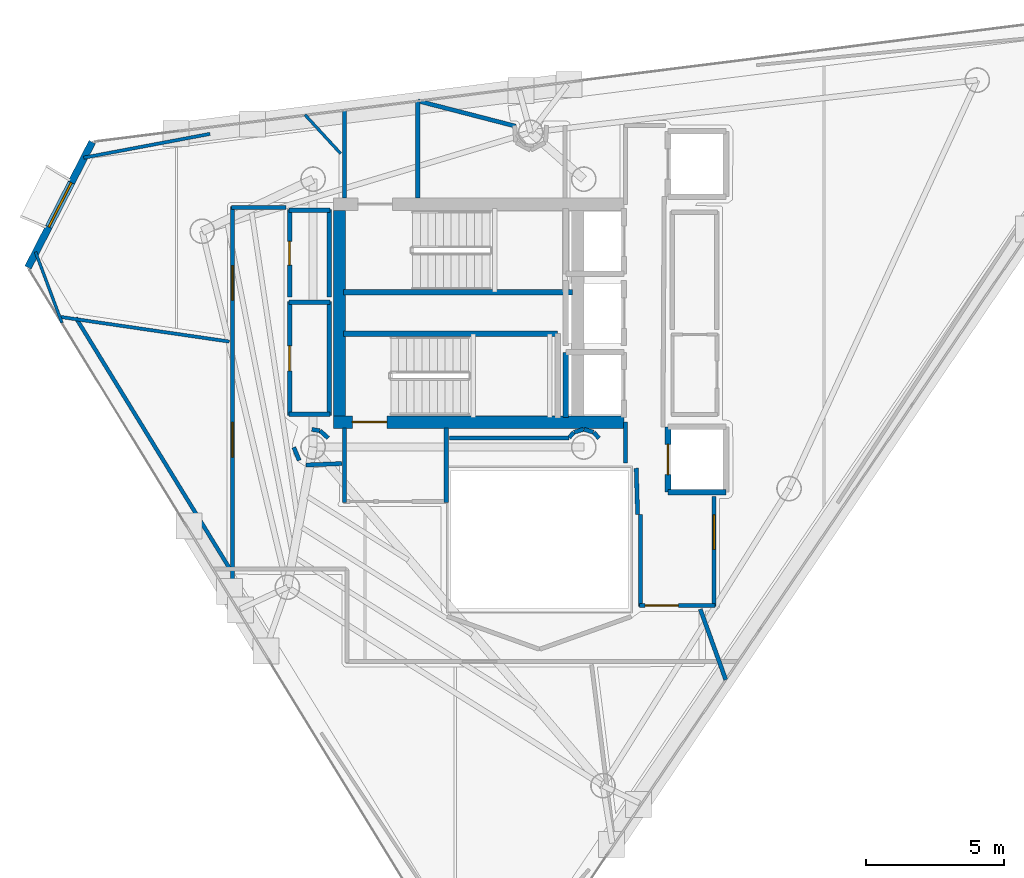
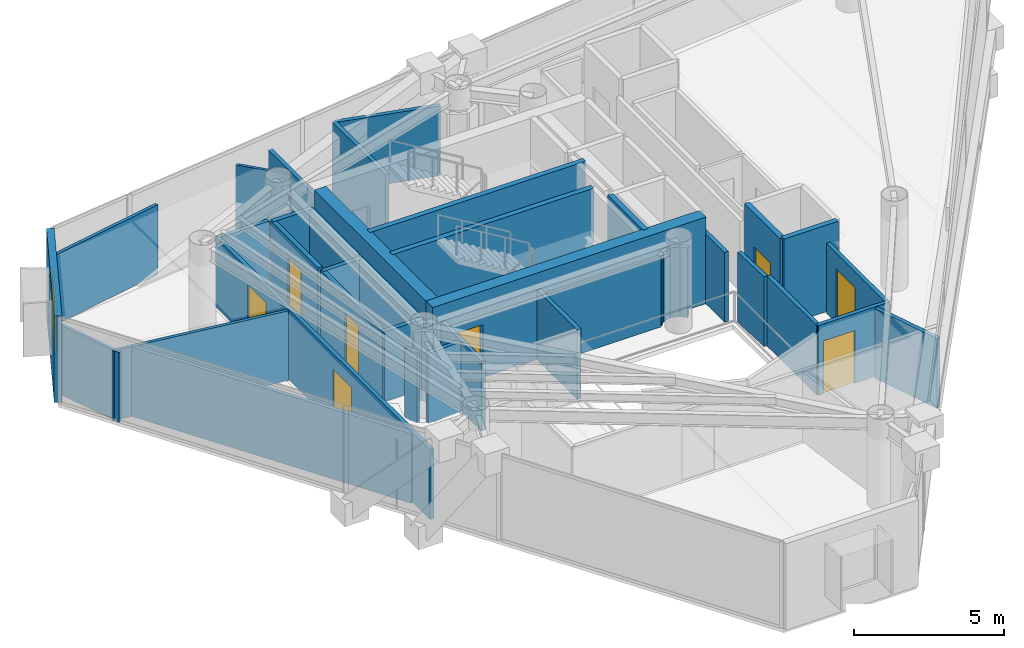
# One storey, part 19 of 23: 42 walls, 8 doors, 1 window, 9 openings.
"""IFC4 building model written with IfcOpenShell, lengths in metres."""

from ifc_helpers import new_model, si_unit, direction, frame, frame_2d, origin, place, context, subcontext, project, spatial, rectangle, extrude, material, layer, layer_set, type_object, element, fill, save


model = new_model("IFC4")

# Units and contexts
model_context = context("Model", 3, precision=1e-05, world=origin(), true_north=direction((0.0, 1.0)))
body_context = subcontext(model_context, "Body", "Model", "MODEL_VIEW")
ifc_project = project(units=[si_unit("LENGTHUNIT", "METRE"), si_unit("AREAUNIT", "SQUARE_METRE"), si_unit("VOLUMEUNIT", "CUBIC_METRE"), si_unit("PLANEANGLEUNIT", "RADIAN"), si_unit("MASSUNIT", "GRAM", prefix="KILO")], contexts=[model_context])

# Site, building, storey
site_placement = place(None, origin())
site = spatial("IfcSite", under=ifc_project, at=site_placement, CompositionType="ELEMENT")
building_placement = place(site_placement, origin())
building = spatial("IfcBuilding", under=site, at=building_placement, Name="Qianvela Tower", CompositionType="ELEMENT")
storey_placement = place(building_placement, frame((0.0, 0.0, 284.300048828125)))
storey = spatial("IfcBuildingStorey", under=building, at=storey_placement, Name="L73", CompositionType="ELEMENT", Elevation=284.300048828125)

# Wall, opening, window
ifc_material_1 = material(Name="Terracotta Cladding on Concrete C40", Category="masonry")
ifc_layer_1 = layer(ifc_material_1, 0.260009765625)
ifc_layer_set_1 = layer_set([ifc_layer_1], Name="Terracotta Cladding on Concrete C40")
wall_type_1 = type_object("IfcWallType", Name="TERRACOTTA-WALL-260", PredefinedType="SOLIDWALL", material=ifc_layer_set_1)
wall_1_placement = place(storey_placement, frame((20.602783203125, 34.89404296875, 0.0), z_axis=(0.0, 0.0, 1.0), x_axis=(-0.455422024199, -0.890275676335, 0.0)))
wall_1 = element("IfcWall", 1, at=wall_1_placement, inside=storey, type_object=wall_type_1, Name="L73 Terracotta Chamfer Facet Wall 3", PredefinedType="SOLIDWALL", context=body_context, shape_type="SweptSolid", body=[
    extrude(rectangle(XDim=5.10400390625, YDim=0.260009765625, at=frame_2d((2.552001953125, 0.0))), origin(), (0.0, 0.0, 1.0), 3.52001953125),
])
opening_1_placement = place(wall_1_placement, frame((1.652099609375, 0.0, 0.85009765625)))
opening_1 = element("IfcOpeningElement", 2, at=opening_1_placement, cuts=wall_1, Name="Opening W-01", PredefinedType="OPENING", context=body_context, shape_type="SweptSolid", body=[
    extrude(rectangle(XDim=1.800048828125, YDim=2.10009765625, at=frame_2d((0.89990234375, 1.050048828125))), frame((0.0, 0.139892578125, 0.0), z_axis=(0.0, -1.0, 0.0), x_axis=(1.0, 0.0, 0.0)), (0.0, 0.0, 1.0), 0.280029296875),
])
ifc_material_2 = material(Name="Thermally Broken Aluminium and Low-E Glass", Category="aluminium")
window_type = type_object("IfcWindowType", Name="WIN-TC-1800x2100", PartitioningType="DOUBLE_PANEL_VERTICAL", PredefinedType="WINDOW", material=ifc_material_2)
window_placement = place(opening_1_placement, origin())
window = element("IfcWindow", 3, at=window_placement, inside=storey, type_object=window_type, Name="L73 Chamfer Facet Window 3.1", OverallHeight=2.10009765625, OverallWidth=1.800048828125, PartitioningType="SINGLE_PANEL", PredefinedType="WINDOW", context=body_context, shape_type="SweptSolid", body=[
    extrude(rectangle(XDim=1.800048828125, YDim=2.10009765625, at=frame_2d((0.89990234375, 1.050048828125))), frame((0.0, 0.030029296875, 0.0), z_axis=(0.0, -1.0, 0.0), x_axis=(1.0, 0.0, 0.0)), (0.0, 0.0, 1.0), 0.06005859375),
])
fill(opening_1, window)

# Wall, opening, door
ifc_material_3 = material(Name="Concrete C50", Category="concrete")
ifc_layer_2 = layer(ifc_material_3, 0.449951171875)
ifc_layer_set_2 = layer_set([ifc_layer_2], Name="Concrete C50")
wall_type_2 = type_object("IfcWallType", Name="WT-CORE-450", PredefinedType="SHEAR", material=ifc_layer_set_2)
wall_2_placement = place(storey_placement, frame((29.330078125, 24.7548828125, 0.0), z_axis=(0.0, 0.0, 1.0), x_axis=(1.0, 0.0, 0.0)))
wall_2 = element("IfcWall", 4, at=wall_2_placement, inside=storey, type_object=wall_type_2, Name="L73 South Core Shear Wall", PredefinedType="SHEAR", context=body_context, shape_type="SweptSolid", body=[
    extrude(rectangle(XDim=10.52001953125, YDim=0.449951171875, at=frame_2d((5.260009765625, 0.0))), origin(), (0.0, 0.0, 1.0), 3.52001953125),
])
opening_2_placement = place(wall_2_placement, frame((0.695068359375, 0.0, 0.0)))
opening_2 = element("IfcOpeningElement", 5, at=opening_2_placement, cuts=wall_2, Name="Opening D-ST1", PredefinedType="OPENING", context=body_context, shape_type="SweptSolid", body=[
    extrude(rectangle(XDim=1.25, YDim=2.14990234375, at=frame_2d((0.625, 1.074951171875))), frame((0.0, 0.23486328125, 0.0), z_axis=(0.0, -1.0, 0.0), x_axis=(1.0, 0.0, 0.0)), (0.0, 0.0, 1.0), 0.469970703125),
])
ifc_material_4 = material(Name="Galvanised Fire Steel Q355B", Category="steel")
door_type_1 = type_object("IfcDoorType", Name="DT-STAIR-FD90", OperationType="NOTDEFINED", PredefinedType="DOOR", material=ifc_material_4)
door_1_placement = place(opening_2_placement, origin())
door_1 = element("IfcDoor", 6, at=door_1_placement, inside=storey, type_object=door_type_1, Name="L73 Stair ST-2 Exit Door", OperationType="SINGLE_SWING_LEFT", OverallHeight=2.14990234375, OverallWidth=1.25, PredefinedType="DOOR", context=body_context, shape_type="SweptSolid", body=[
    extrude(rectangle(XDim=1.25, YDim=2.14990234375, at=frame_2d((0.625, 1.074951171875))), frame((0.0, 0.02490234375, 0.0), z_axis=(0.0, -1.0, 0.0), x_axis=(1.0, 0.0, 0.0)), (0.0, 0.0, 1.0), 0.050048828125),
])
fill(opening_2, door_1)

# Walls
wall_3_placement = place(storey_placement, frame((29.554931640625, 24.97998046875, 0.0), z_axis=(0.0, 0.0, 1.0), x_axis=(0.0, 1.0, 0.0)))
element("IfcWall", 7, at=wall_3_placement, inside=storey, type_object=wall_type_2, Name="L73 West Core Shear Wall", PredefinedType="SHEAR", context=body_context, shape_type="SweptSolid", body=[
    extrude(rectangle(XDim=7.43994140625, YDim=0.449951171875, at=frame_2d((3.719970703125, 0.0))), origin(), (0.0, 0.0, 1.0), 3.52001953125),
])
ifc_material_5 = material(Name="Fire-Rated Acoustic Gypsum Board")
ifc_layer_3 = layer(ifc_material_5, 0.14990234375)
ifc_layer_set_3 = layer_set([ifc_layer_3], Name="Fire-Rated Acoustic Gypsum Board")
wall_type_3 = type_object("IfcWallType", Name="WT-CORR-150", PredefinedType="PARTITIONING", material=ifc_layer_set_3)
wall_4_placement = place(storey_placement, frame((29.73095703125, 32.85791015625, 0.0), z_axis=(0.0, 0.0, 1.0), x_axis=(0.0, 1.0, 0.0)))
element("IfcWall", 8, at=wall_4_placement, inside=storey, type_object=wall_type_3, Name="L73 Partition 2", PredefinedType="PARTITIONING", context=body_context, shape_type="SweptSolid", body=[
    extrude(rectangle(XDim=3.203857421875, YDim=0.14990234375, at=frame_2d((1.60205078125, 0.0))), origin(), (0.0, 0.0, 1.0), 2.83984375),
])
wall_5_placement = place(storey_placement, frame((32.388916015625, 36.39599609375, 0.0), z_axis=(0.0, 0.0, 1.0), x_axis=(0.0, -1.0, 0.0)))
element("IfcWall", 9, at=wall_5_placement, inside=storey, type_object=wall_type_3, Name="L73 Partition 4", PredefinedType="PARTITIONING", context=body_context, shape_type="SweptSolid", body=[
    extrude(rectangle(XDim=3.5380859375, YDim=0.14990234375, at=frame_2d((1.76904296875, 0.0))), origin(), (0.0, 0.0, 1.0), 2.83984375),
])
for number, where, z_axis, x_axis, name in (
    (10, (29.73095703125, 21.85009765625, 0.0), (0.0, 0.0, 1.0), (0.0, 1.0, 0.0), "L73 Partition 6"),
    (11, (33.4189453125, 24.5419921875, 0.0), (0.0, 0.0, 1.0), (0.0, -1.0, 0.0), "L73 Partition 8"),
):
    element("IfcWall", number, at=place(storey_placement, frame(where, z_axis=z_axis, x_axis=x_axis)), inside=storey, type_object=wall_type_3, Name=name, PredefinedType="PARTITIONING", context=body_context, shape_type="SweptSolid", body=[
        extrude(rectangle(XDim=2.69189453125, YDim=0.14990234375, at=frame_2d((1.345947265625, 0.0))), origin(), (0.0, 0.0, 1.0), 2.83984375),
    ])
wall_6_placement = place(storey_placement, frame((40.35107421875, 21.40087890625, 0.0), z_axis=(0.0, 0.0, 1.0), x_axis=(-0.031058045979, 0.999517582527, 0.0)))
element("IfcWall", 12, at=wall_6_placement, inside=storey, type_object=wall_type_3, Name="L73 Partition 9", PredefinedType="PARTITIONING", context=body_context, shape_type="SweptSolid", body=[
    extrude(rectangle(XDim=1.68212890625, YDim=0.14990234375, at=frame_2d((0.841064453125, 0.0))), origin(), (0.0, 0.0, 1.0), 2.83984375),
])
wall_7_placement = place(storey_placement, frame((39.910888671875, 23.280029296875, 0.0), z_axis=(0.0, 0.0, 1.0), x_axis=(0.0, 1.0, 0.0)))
element("IfcWall", 13, at=wall_7_placement, inside=storey, type_object=wall_type_3, Name="L73 Partition 10", PredefinedType="PARTITIONING", context=body_context, shape_type="SweptSolid", body=[
    extrude(rectangle(XDim=1.47998046875, YDim=0.14990234375, at=frame_2d((0.739990234375, 0.0))), origin(), (0.0, 0.0, 1.0), 2.83984375),
])

# Wall, opening, door
wall_8_placement = place(storey_placement, frame((43.118896484375, 22.050048828125, 0.0), z_axis=(0.0, 0.0, 1.0), x_axis=(0.0, -1.0, 0.0)))
wall_8 = element("IfcWall", 14, at=wall_8_placement, inside=storey, type_object=wall_type_3, Name="L73 Partition 16", PredefinedType="PARTITIONING", context=body_context, shape_type="SweptSolid", body=[
    extrude(rectangle(XDim=3.969970703125, YDim=0.14990234375, at=frame_2d((1.98486328125, 0.0))), origin(), (0.0, 0.0, 1.0), 2.83984375),
])
opening_3_placement = place(wall_8_placement, frame((0.659912109375, 0.0, 0.0)))
opening_3 = element("IfcOpeningElement", 15, at=opening_3_placement, cuts=wall_8, Name="Opening D-LG1", PredefinedType="OPENING", context=body_context, shape_type="SweptSolid", body=[
    extrude(rectangle(XDim=1.25, YDim=2.199951171875, at=frame_2d((0.625, 1.10009765625))), frame((0.0, 0.0849609375, 0.0), z_axis=(0.0, -1.0, 0.0), x_axis=(1.0, 0.0, 0.0)), (0.0, 0.0, 1.0), 0.169921875),
])
ifc_material_6 = material(Name="Anodised Aluminium Acoustic Glass Door", Category="aluminium")
door_type_2 = type_object("IfcDoorType", Name="DT-LOUNGE-1250", OperationType="NOTDEFINED", PredefinedType="DOOR", material=ifc_material_6)
door_2_placement = place(opening_3_placement, origin())
door_2 = element("IfcDoor", 16, at=door_2_placement, inside=storey, type_object=door_type_2, Name="L73 Door Social Sitting Lounge L73-03 to L73 Lift Lobby", OperationType="SINGLE_SWING_RIGHT", OverallHeight=2.199951171875, OverallWidth=1.25, PredefinedType="DOOR", context=body_context, shape_type="SweptSolid", body=[
    extrude(rectangle(XDim=1.25, YDim=2.199951171875, at=frame_2d((0.625, 1.10009765625))), frame((0.0, 0.02490234375, 0.0), z_axis=(0.0, -1.0, 0.0), x_axis=(1.0, 0.0, 0.0)), (0.0, 0.0, 1.0), 0.050048828125),
])
fill(opening_3, door_2)

wall_9_placement = place(storey_placement, frame((43.14990234375, 18.111083984375, 0.0), z_axis=(0.0, 0.0, 1.0), x_axis=(-1.0, 0.0, 0.0)))
wall_9 = element("IfcWall", 17, at=wall_9_placement, inside=storey, type_object=wall_type_3, Name="L73 Partition 17", PredefinedType="PARTITIONING", context=body_context, shape_type="SweptSolid", body=[
    extrude(rectangle(XDim=2.72998046875, YDim=0.14990234375, at=frame_2d((1.364990234375, 0.0))), origin(), (0.0, 0.0, 1.0), 2.83984375),
])
opening_4_placement = place(wall_9_placement, frame((1.324951171875, 0.0, 0.0)))
opening_4 = element("IfcOpeningElement", 18, at=opening_4_placement, cuts=wall_9, Name="Opening D-LB1", PredefinedType="OPENING", context=body_context, shape_type="SweptSolid", body=[
    extrude(rectangle(XDim=1.199951171875, YDim=2.14990234375, at=frame_2d((0.60009765625, 1.074951171875))), frame((0.0, 0.0849609375, 0.0), z_axis=(0.0, -1.0, 0.0), x_axis=(1.0, 0.0, 0.0)), (0.0, 0.0, 1.0), 0.169921875),
])
ifc_material_7 = material(Name="Glazed Fire-Rated Steel Frame", Category="steel")
door_type_3 = type_object("IfcDoorType", Name="DT-LOBBY-FD90", OperationType="NOTDEFINED", PredefinedType="DOOR", material=ifc_material_7)
door_3_placement = place(opening_4_placement, origin())
door_3 = element("IfcDoor", 19, at=door_3_placement, inside=storey, type_object=door_type_3, Name="L73 Door L73 Lift Lobby to L73 Floor Corridor", OperationType="SINGLE_SWING_RIGHT", OverallHeight=2.14990234375, OverallWidth=1.199951171875, PredefinedType="DOOR", context=body_context, shape_type="SweptSolid", body=[
    extrude(rectangle(XDim=1.199951171875, YDim=2.14990234375, at=frame_2d((0.60009765625, 1.074951171875))), frame((0.0, 0.02490234375, 0.0), z_axis=(0.0, -1.0, 0.0), x_axis=(1.0, 0.0, 0.0)), (0.0, 0.0, 1.0), 0.050048828125),
])
fill(opening_4, door_3)

# Walls
wall_10_placement = place(storey_placement, frame((40.450927734375, 18.080078125, 0.0), z_axis=(0.0, 0.0, 1.0), x_axis=(0.0, 1.0, 0.0)))
element("IfcWall", 20, at=wall_10_placement, inside=storey, type_object=wall_type_3, Name="L73 Partition 18 seg 1", PredefinedType="PARTITIONING", context=body_context, shape_type="SweptSolid", body=[
    extrude(rectangle(XDim=3.31982421875, YDim=0.14990234375, at=frame_2d((1.659912109375, 0.0))), origin(), (0.0, 0.0, 1.0), 2.83984375),
])
wall_11_placement = place(storey_placement, frame((38.950927734375, 24.1708984375, 0.0), z_axis=(0.0, 0.0, 1.0), x_axis=(-0.674186852077, 0.738560822469, 0.0)))
element("IfcWall", 21, at=wall_11_placement, inside=storey, type_object=wall_type_3, Name="L73 Partition 37", PredefinedType="PARTITIONING", context=body_context, shape_type="SweptSolid", body=[
    extrude(rectangle(XDim=0.28076171875, YDim=0.14990234375, at=frame_2d((0.140380859375, 0.0))), origin(), (0.0, 0.0, 1.0), 2.83984375),
])
wall_12_placement = place(storey_placement, frame((38.747802734375, 24.386962890625, 0.0), z_axis=(0.0, 0.0, 1.0), x_axis=(-0.956948991291, 0.290256142171, 0.0)))
element("IfcWall", 22, at=wall_12_placement, inside=storey, type_object=wall_type_3, Name="L73 Partition 38", PredefinedType="PARTITIONING", context=body_context, shape_type="SweptSolid", body=[
    extrude(rectangle(XDim=0.35400390625, YDim=0.14990234375, at=frame_2d((0.177001953125, 0.0))), origin(), (0.0, 0.0, 1.0), 2.83984375),
])
wall_13_placement = place(storey_placement, frame((38.39111328125, 24.48974609375, 0.0), z_axis=(0.0, 0.0, 1.0), x_axis=(-0.957007018611, -0.290064762301, 0.0)))
element("IfcWall", 23, at=wall_13_placement, inside=storey, type_object=wall_type_3, Name="L73 Partition 39", PredefinedType="PARTITIONING", context=body_context, shape_type="SweptSolid", body=[
    extrude(rectangle(XDim=0.354248046875, YDim=0.14990234375, at=frame_2d((0.17724609375, 0.0))), origin(), (0.0, 0.0, 1.0), 2.83984375),
])
wall_14_placement = place(storey_placement, frame((38.0380859375, 24.378173828125, 0.0), z_axis=(0.0, 0.0, 1.0), x_axis=(-0.673658387955, -0.739042878551, 0.0)))
element("IfcWall", 24, at=wall_14_placement, inside=storey, type_object=wall_type_3, Name="L73 Partition 40", PredefinedType="PARTITIONING", context=body_context, shape_type="SweptSolid", body=[
    extrude(rectangle(XDim=0.246337890625, YDim=0.14990234375, at=frame_2d((0.123046875, 0.0))), origin(), (0.0, 0.0, 1.0), 2.83984375),
])
wall_15_placement = place(storey_placement, frame((37.8720703125, 24.180908203125, 0.0), z_axis=(0.0, 0.0, 1.0), x_axis=(-1.0, 0.0, 0.0)))
element("IfcWall", 25, at=wall_15_placement, inside=storey, type_object=wall_type_3, Name="L73 Partition 41", PredefinedType="PARTITIONING", context=body_context, shape_type="SweptSolid", body=[
    extrude(rectangle(XDim=4.342041015625, YDim=0.14990234375, at=frame_2d((2.1708984375, 0.0))), origin(), (0.0, 0.0, 1.0), 2.83984375),
])
wall_16_placement = place(storey_placement, frame((29.148681640625, 24.173095703125, 0.0), z_axis=(0.0, 0.0, 1.0), x_axis=(-0.745225165416, 0.666812906917, 0.0)))
element("IfcWall", 26, at=wall_16_placement, inside=storey, type_object=wall_type_3, Name="L73 Partition 51", PredefinedType="PARTITIONING", context=body_context, shape_type="SweptSolid", body=[
    extrude(rectangle(XDim=0.3955078125, YDim=0.14990234375, at=frame_2d((0.19775390625, 0.0))), origin(), (0.0, 0.0, 1.0), 2.83984375),
])
wall_17_placement = place(storey_placement, frame((28.837890625, 24.444091796875, 0.0), z_axis=(0.0, 0.0, 1.0), x_axis=(-0.989449148305, 0.144880581578, 0.0)))
element("IfcWall", 27, at=wall_17_placement, inside=storey, type_object=wall_type_3, Name="L73 Partition 52", PredefinedType="PARTITIONING", context=body_context, shape_type="SweptSolid", body=[
    extrude(rectangle(XDim=0.286376953125, YDim=0.14990234375, at=frame_2d((0.14306640625, 0.0))), origin(), (0.0, 0.0, 1.0), 2.83984375),
])
wall_18_placement = place(storey_placement, frame((32.40576171875, 36.378173828125, 0.0), z_axis=(0.0, 0.0, 1.0), x_axis=(0.968212286396, -0.250129903194, 0.0)))
element("IfcWall", 28, at=wall_18_placement, inside=storey, type_object=wall_type_3, Name="L73 Partition 55", PredefinedType="PARTITIONING", context=body_context, shape_type="SweptSolid", body=[
    extrude(rectangle(XDim=3.634765625, YDim=0.14990234375, at=frame_2d((1.8173828125, 0.0))), origin(), (0.0, 0.0, 1.0), 2.83984375),
])
wall_19_placement = place(storey_placement, frame((27.9013671875, 23.838134765625, 0.0), z_axis=(0.0, 0.0, 1.0), x_axis=(0.382856448334, -0.923807847969, 0.0)))
element("IfcWall", 29, at=wall_19_placement, inside=storey, type_object=wall_type_3, Name="L73 Partition 62", PredefinedType="PARTITIONING", context=body_context, shape_type="SweptSolid", body=[
    extrude(rectangle(XDim=0.5126953125, YDim=0.14990234375, at=frame_2d((0.25634765625, 0.0))), origin(), (0.0, 0.0, 1.0), 2.83984375),
])
wall_20_placement = place(storey_placement, frame((28.3447265625, 23.199951171875, 0.0), z_axis=(0.0, 0.0, 1.0), x_axis=(0.999216536924, 0.039576664043, 0.0)))
element("IfcWall", 30, at=wall_20_placement, inside=storey, type_object=wall_type_3, Name="L73 Partition 63", PredefinedType="PARTITIONING", context=body_context, shape_type="SweptSolid", body=[
    extrude(rectangle(XDim=1.29541015625, YDim=0.14990234375, at=frame_2d((0.647705078125, 0.0))), origin(), (0.0, 0.0, 1.0), 2.83984375),
])
wall_21_placement = place(storey_placement, frame((42.618896484375, 17.97998046875, 0.0), z_axis=(0.0, 0.0, 1.0), x_axis=(0.339302003936, -0.940677495279, 0.0)))
element("IfcWall", 31, at=wall_21_placement, inside=storey, type_object=wall_type_3, Name="L73 Partition 69", PredefinedType="PARTITIONING", context=body_context, shape_type="SweptSolid", body=[
    extrude(rectangle(XDim=2.715576171875, YDim=0.14990234375, at=frame_2d((1.35791015625, 0.0))), origin(), (0.0, 0.0, 1.0), 2.83984375),
])

# Wall, openings, doors
wall_22_placement = place(storey_placement, frame((25.680908203125, 18.259521484375, 0.0), z_axis=(0.0, 0.0, 1.0), x_axis=(0.0, 1.0, 0.0)))
wall_22 = element("IfcWall", 32, at=wall_22_placement, inside=storey, type_object=wall_type_3, Name="L73 Partition 73", PredefinedType="PARTITIONING", context=body_context, shape_type="SweptSolid", body=[
    extrude(rectangle(XDim=14.29052734375, YDim=0.14990234375, at=frame_2d((7.145263671875, 0.0))), origin(), (0.0, 0.0, 1.0), 2.83984375),
])
opening_5_placement = place(wall_22_placement, frame((5.22900390625, 0.0, 0.0)))
opening_5 = element("IfcOpeningElement", 33, at=opening_5_placement, cuts=wall_22, Name="Opening D-LG1", PredefinedType="OPENING", context=body_context, shape_type="SweptSolid", body=[
    extrude(rectangle(XDim=1.25, YDim=2.199951171875, at=frame_2d((0.625, 1.10009765625))), frame((0.0, 0.0849609375, 0.0), z_axis=(0.0, -1.0, 0.0), x_axis=(1.0, 0.0, 0.0)), (0.0, 0.0, 1.0), 0.169921875),
])
opening_6_placement = place(wall_22_placement, frame((10.911865234375, 0.0, 0.0)))
opening_6 = element("IfcOpeningElement", 34, at=opening_6_placement, cuts=wall_22, Name="Opening D-LG1", PredefinedType="OPENING", context=body_context, shape_type="SweptSolid", body=[
    extrude(rectangle(XDim=1.25, YDim=2.199951171875, at=frame_2d((0.625, 1.10009765625))), frame((0.0, 0.0849609375, 0.0), z_axis=(0.0, -1.0, 0.0), x_axis=(1.0, 0.0, 0.0)), (0.0, 0.0, 1.0), 0.169921875),
])
door_4_placement = place(opening_5_placement, origin())
door_4 = element("IfcDoor", 35, at=door_4_placement, inside=storey, type_object=door_type_2, Name="L73 Door Tutorial Breakout Seminar L73-01 to L73 Floor Corridor", OperationType="SINGLE_SWING_RIGHT", OverallHeight=2.199951171875, OverallWidth=1.25, PredefinedType="DOOR", context=body_context, shape_type="SweptSolid", body=[
    extrude(rectangle(XDim=1.25, YDim=2.199951171875, at=frame_2d((0.625, 1.10009765625))), frame((0.0, 0.02490234375, 0.0), z_axis=(0.0, -1.0, 0.0), x_axis=(1.0, 0.0, 0.0)), (0.0, 0.0, 1.0), 0.050048828125),
])
fill(opening_5, door_4)
door_5_placement = place(opening_6_placement, origin())
door_5 = element("IfcDoor", 36, at=door_5_placement, inside=storey, type_object=door_type_2, Name="L73 Door Commons Day Lounge L73-04 to L73 Floor Corridor", OperationType="SINGLE_SWING_LEFT", OverallHeight=2.199951171875, OverallWidth=1.25, PredefinedType="DOOR", context=body_context, shape_type="SweptSolid", body=[
    extrude(rectangle(XDim=1.25, YDim=2.199951171875, at=frame_2d((0.625, 1.10009765625))), frame((0.0, 0.02490234375, 0.0), z_axis=(0.0, -1.0, 0.0), x_axis=(1.0, 0.0, 0.0)), (0.0, 0.0, 1.0), 0.050048828125),
])
fill(opening_6, door_5)

# Walls
wall_23_placement = place(storey_placement, frame((25.64990234375, 32.51904296875, 0.0), z_axis=(0.0, 0.0, 1.0), x_axis=(1.0, 0.0, 0.0)))
element("IfcWall", 37, at=wall_23_placement, inside=storey, type_object=wall_type_3, Name="L73 Partition 74", PredefinedType="PARTITIONING", context=body_context, shape_type="SweptSolid", body=[
    extrude(rectangle(XDim=1.97021484375, YDim=0.14990234375, at=frame_2d((0.985107421875, 0.0))), origin(), (0.0, 0.0, 1.0), 2.83984375),
])
ifc_material_8 = material(Name="Lightweight Gypsum Room Partition")
ifc_layer_4 = layer(ifc_material_8, 0.10498046875)
ifc_layer_set_4 = layer_set([ifc_layer_4], Name="Lightweight Gypsum Room Partition")
wall_type_4 = type_object("IfcWallType", Name="WT-PART-105", PredefinedType="PARTITIONING", material=ifc_layer_set_4)
wall_24_placement = place(storey_placement, frame((28.306640625, 35.879150390625, 0.0), z_axis=(0.0, 0.0, 1.0), x_axis=(0.677289660451, -0.735716464303, 0.0)))
element("IfcWall", 38, at=wall_24_placement, inside=storey, type_object=wall_type_4, Name="L73 Partition 111", PredefinedType="PARTITIONING", context=body_context, shape_type="SweptSolid", body=[
    extrude(rectangle(XDim=1.905517578125, YDim=0.10498046875, at=frame_2d((0.95263671875, 0.0))), origin(), (0.0, 0.0, 1.0), 2.83984375),
])
wall_25_placement = place(storey_placement, frame((19.505615234375, 28.3486328125, 0.0), z_axis=(0.0, 0.0, 1.0), x_axis=(-0.349316148689, 0.937004924355, 0.0)))
element("IfcWall", 39, at=wall_25_placement, inside=storey, type_object=wall_type_4, Name="L73 Partition 117", PredefinedType="PARTITIONING", context=body_context, shape_type="SweptSolid", body=[
    extrude(rectangle(XDim=2.73974609375, YDim=0.10498046875, at=frame_2d((1.369873046875, 0.0))), origin(), (0.0, 0.0, 1.0), 2.83984375),
])
ifc_material_9 = material(Name="Insulated Gypsum Stud Partition")
ifc_layer_5 = layer(ifc_material_9, 0.1201171875)
ifc_layer_set_5 = layer_set([ifc_layer_5], Name="Insulated Gypsum Stud Partition")
wall_type_5 = type_object("IfcWallType", Name="WT-PART-120", PredefinedType="PARTITIONING", material=ifc_layer_set_5)
wall_26_placement = place(storey_placement, frame((19.348388671875, 28.575927734375, 0.0), z_axis=(0.0, 0.0, 1.0), x_axis=(0.989508807114, -0.144472560175, 0.0)))
element("IfcWall", 40, at=wall_26_placement, inside=storey, type_object=wall_type_5, Name="L73 Partition 77", PredefinedType="PARTITIONING", context=body_context, shape_type="SweptSolid", body=[
    extrude(rectangle(XDim=6.282958984375, YDim=0.1201171875, at=frame_2d((3.1416015625, 0.0))), origin(), (0.0, 0.0, 1.0), 2.83984375),
])
wall_27_placement = place(storey_placement, frame((20.293212890625, 34.324951171875, 0.0), z_axis=(0.0, 0.0, 1.0), x_axis=(0.982650656503, 0.185466135115, 0.0)))
element("IfcWall", 41, at=wall_27_placement, inside=storey, type_object=wall_type_5, Name="L73 Partition 119 seg 1", PredefinedType="PARTITIONING", context=body_context, shape_type="SweptSolid", body=[
    extrude(rectangle(XDim=4.656005859375, YDim=0.1201171875, at=frame_2d((2.328125, 0.0))), origin(), (0.0, 0.0, 1.0), 2.83984375),
])

# Wall, opening, door
ifc_material_10 = material(Name="Sanitary Service Chase Partition")
ifc_layer_6 = layer(ifc_material_10, 0.1650390625)
ifc_layer_set_6 = layer_set([ifc_layer_6], Name="Sanitary Service Chase Partition")
wall_type_6 = type_object("IfcWallType", Name="WT-PLUMB-165", PredefinedType="PLUMBINGWALL", material=ifc_layer_set_6)
wall_28_placement = place(storey_placement, frame((27.7509765625, 25.0, 0.0), z_axis=(0.0, 0.0, 1.0), x_axis=(0.0, 1.0, 0.0)))
wall_28 = element("IfcWall", 42, at=wall_28_placement, inside=storey, type_object=wall_type_6, Name="L73 Partition 27", PredefinedType="PLUMBINGWALL", context=body_context, shape_type="SweptSolid", body=[
    extrude(rectangle(XDim=4.1201171875, YDim=0.1650390625, at=frame_2d((2.06005859375, 0.0))), origin(), (0.0, 0.0, 1.0), 2.83984375),
])
opening_7_placement = place(wall_28_placement, frame((1.610107421875, 0.0, 0.0)))
opening_7 = element("IfcOpeningElement", 43, at=opening_7_placement, cuts=wall_28, Name="Opening D-KT1", PredefinedType="OPENING", context=body_context, shape_type="SweptSolid", body=[
    extrude(rectangle(XDim=0.89990234375, YDim=2.10009765625, at=frame_2d((0.449951171875, 1.050048828125))), frame((0.0, 0.092529296875, 0.0), z_axis=(0.0, -1.0, 0.0), x_axis=(1.0, 0.0, 0.0)), (0.0, 0.0, 1.0), 0.18505859375),
])
ifc_material_11 = material(Name="Glazed Timber Kitchen Door", Category="wood")
door_type_4 = type_object("IfcDoorType", Name="DT-KITCH-900", OperationType="NOTDEFINED", PredefinedType="DOOR", material=ifc_material_11)
door_6_placement = place(opening_7_placement, origin())
door_6 = element("IfcDoor", 44, at=door_6_placement, inside=storey, type_object=door_type_4, Name="L73 Door L73 Core Tea Pantry West to L73 Floor Corridor", OperationType="SINGLE_SWING_LEFT", OverallHeight=2.10009765625, OverallWidth=0.89990234375, PredefinedType="DOOR", context=body_context, shape_type="SweptSolid", body=[
    extrude(rectangle(XDim=0.89990234375, YDim=2.10009765625, at=frame_2d((0.449951171875, 1.050048828125))), frame((0.0, 0.02490234375, 0.0), z_axis=(0.0, -1.0, 0.0), x_axis=(1.0, 0.0, 0.0)), (0.0, 0.0, 1.0), 0.050048828125),
])
fill(opening_7, door_6)

# Walls
wall_29_placement = place(storey_placement, frame((27.719970703125, 29.089111328125, 0.0), z_axis=(0.0, 0.0, 1.0), x_axis=(1.0, 0.0, 0.0)))
element("IfcWall", 45, at=wall_29_placement, inside=storey, type_object=wall_type_6, Name="L73 Partition 28", PredefinedType="PLUMBINGWALL", context=body_context, shape_type="SweptSolid", body=[
    extrude(rectangle(XDim=1.5, YDim=0.1650390625, at=frame_2d((0.75, 0.0))), origin(), (0.0, 0.0, 1.0), 2.83984375),
])
wall_30_placement = place(storey_placement, frame((29.18896484375, 29.1201171875, 0.0), z_axis=(0.0, 0.0, 1.0), x_axis=(0.0, -1.0, 0.0)))
element("IfcWall", 46, at=wall_30_placement, inside=storey, type_object=wall_type_6, Name="L73 Partition 29", PredefinedType="PLUMBINGWALL", context=body_context, shape_type="SweptSolid", body=[
    extrude(rectangle(XDim=4.1201171875, YDim=0.1650390625, at=frame_2d((2.06005859375, 0.0))), origin(), (0.0, 0.0, 1.0), 2.83984375),
])
wall_31_placement = place(storey_placement, frame((29.219970703125, 25.031005859375, 0.0), z_axis=(0.0, 0.0, 1.0), x_axis=(-1.0, 0.0, 0.0)))
element("IfcWall", 47, at=wall_31_placement, inside=storey, type_object=wall_type_6, Name="L73 Partition 30", PredefinedType="PLUMBINGWALL", context=body_context, shape_type="SweptSolid", body=[
    extrude(rectangle(XDim=1.5, YDim=0.1650390625, at=frame_2d((0.75, 0.0))), origin(), (0.0, 0.0, 1.0), 2.83984375),
])

# Wall, opening, door
wall_32_placement = place(storey_placement, frame((27.7509765625, 29.280029296875, 0.0), z_axis=(0.0, 0.0, 1.0), x_axis=(0.0, 1.0, 0.0)))
wall_32 = element("IfcWall", 48, at=wall_32_placement, inside=storey, type_object=wall_type_6, Name="L73 Partition 31", PredefinedType="PLUMBINGWALL", context=body_context, shape_type="SweptSolid", body=[
    extrude(rectangle(XDim=3.169921875, YDim=0.1650390625, at=frame_2d((1.5849609375, 0.0))), origin(), (0.0, 0.0, 1.0), 2.83984375),
])
opening_8_placement = place(wall_32_placement, frame((1.155029296875, 0.0, 0.0)))
opening_8 = element("IfcOpeningElement", 49, at=opening_8_placement, cuts=wall_32, Name="Opening D-WC1", PredefinedType="OPENING", context=body_context, shape_type="SweptSolid", body=[
    extrude(rectangle(XDim=0.860107421875, YDim=2.050048828125, at=frame_2d((0.43017578125, 1.02490234375))), frame((0.0, 0.092529296875, 0.0), z_axis=(0.0, -1.0, 0.0), x_axis=(1.0, 0.0, 0.0)), (0.0, 0.0, 1.0), 0.18505859375),
])
ifc_material_12 = material(Name="Moisture-Sealed Acoustic Timber Door", Category="wood")
door_type_5 = type_object("IfcDoorType", Name="DT-WC-860", OperationType="NOTDEFINED", PredefinedType="DOOR", material=ifc_material_12)
door_7_placement = place(opening_8_placement, origin())
door_7 = element("IfcDoor", 50, at=door_7_placement, inside=storey, type_object=door_type_5, Name="L73 Door L73 Accessible WC to L73 Floor Corridor", OperationType="SINGLE_SWING_RIGHT", OverallHeight=2.050048828125, OverallWidth=0.860107421875, PredefinedType="DOOR", context=body_context, shape_type="SweptSolid", body=[
    extrude(rectangle(XDim=0.860107421875, YDim=2.050048828125, at=frame_2d((0.43017578125, 1.02490234375))), frame((0.0, 0.02490234375, 0.0), z_axis=(0.0, -1.0, 0.0), x_axis=(1.0, 0.0, 0.0)), (0.0, 0.0, 1.0), 0.050048828125),
])
fill(opening_8, door_7)

# Walls
wall_33_placement = place(storey_placement, frame((27.719970703125, 32.4189453125, 0.0), z_axis=(0.0, 0.0, 1.0), x_axis=(1.0, 0.0, 0.0)))
element("IfcWall", 51, at=wall_33_placement, inside=storey, type_object=wall_type_6, Name="L73 Partition 32", PredefinedType="PLUMBINGWALL", context=body_context, shape_type="SweptSolid", body=[
    extrude(rectangle(XDim=1.5, YDim=0.1650390625, at=frame_2d((0.75, 0.0))), origin(), (0.0, 0.0, 1.0), 2.83984375),
])
wall_34_placement = place(storey_placement, frame((29.18896484375, 32.449951171875, 0.0), z_axis=(0.0, 0.0, 1.0), x_axis=(0.0, -1.0, 0.0)))
element("IfcWall", 52, at=wall_34_placement, inside=storey, type_object=wall_type_6, Name="L73 Partition 33", PredefinedType="PLUMBINGWALL", context=body_context, shape_type="SweptSolid", body=[
    extrude(rectangle(XDim=3.169921875, YDim=0.1650390625, at=frame_2d((1.5849609375, 0.0))), origin(), (0.0, 0.0, 1.0), 2.83984375),
])
ifc_material_13 = material(Name="Acoustic Double Gypsum Stud Partition")
ifc_layer_7 = layer(ifc_material_13, 0.139892578125)
ifc_layer_set_7 = layer_set([ifc_layer_7], Name="Acoustic Double Gypsum Stud Partition")
wall_type_7 = type_object("IfcWallType", Name="WT-ROOM-140", PredefinedType="PARTITIONING", material=ifc_layer_set_7)
wall_35_placement = place(storey_placement, frame((25.596435546875, 19.42333984375, 0.0), z_axis=(0.0, 0.0, 1.0), x_axis=(-0.522792463497, 0.852459993261, 0.0)))
element("IfcWall", 53, at=wall_35_placement, inside=storey, type_object=wall_type_7, Name="L73 Partition 79", PredefinedType="PARTITIONING", context=body_context, shape_type="SweptSolid", body=[
    extrude(rectangle(XDim=10.683349609375, YDim=0.139892578125, at=frame_2d((5.341796875, 0.0))), origin(), (0.0, 0.0, 1.0), 2.83984375),
])
ifc_material_14 = material(Name="Concrete C50", Category="concrete")
ifc_layer_8 = layer(ifc_material_14, 0.199951171875)
ifc_layer_set_8 = layer_set([ifc_layer_8], Name="Concrete C50")
wall_type_8 = type_object("IfcWallType", Name="WT-SHAFT-200", PredefinedType="SOLIDWALL", material=ifc_layer_set_8)
wall_36_placement = place(storey_placement, frame((29.699951171875, 29.449951171875, 0.0), z_axis=(0.0, 0.0, 1.0), x_axis=(1.0, 0.0, 0.0)))
element("IfcWall", 54, at=wall_36_placement, inside=storey, type_object=wall_type_8, Name="L73 Stair ST-1 South Wall", PredefinedType="SOLIDWALL", context=body_context, shape_type="SweptSolid", body=[
    extrude(rectangle(XDim=8.300048828125, YDim=0.199951171875, at=frame_2d((4.14990234375, 0.0))), origin(), (0.0, 0.0, 1.0), 3.52001953125),
])
wall_37_placement = place(storey_placement, frame((29.699951171875, 27.9599609375, 0.0), z_axis=(0.0, 0.0, 1.0), x_axis=(1.0, 0.0, 0.0)))
element("IfcWall", 55, at=wall_37_placement, inside=storey, type_object=wall_type_8, Name="L73 Stair ST-2 North Wall", PredefinedType="SOLIDWALL", context=body_context, shape_type="SweptSolid", body=[
    extrude(rectangle(XDim=7.75, YDim=0.199951171875, at=frame_2d((3.875, 0.0))), origin(), (0.0, 0.0, 1.0), 3.52001953125),
])
wall_38_placement = place(storey_placement, frame((37.75, 24.919921875, 0.0), z_axis=(0.0, 0.0, 1.0), x_axis=(0.0, 1.0, 0.0)))
element("IfcWall", 56, at=wall_38_placement, inside=storey, type_object=wall_type_8, Name="L73 Lift FL-2 W Shaft Wall", PredefinedType="SOLIDWALL", context=body_context, shape_type="SweptSolid", body=[
    extrude(rectangle(XDim=2.360107421875, YDim=0.199951171875, at=frame_2d((1.18017578125, 0.0))), origin(), (0.0, 0.0, 1.0), 3.52001953125),
])

# Wall, opening, door
wall_39_placement = place(storey_placement, frame((41.449951171875, 22.219970703125, 0.0), z_axis=(0.0, 0.0, 1.0), x_axis=(0.0, 1.0, 0.0)))
wall_39 = element("IfcWall", 57, at=wall_39_placement, inside=storey, type_object=wall_type_8, Name="L73 Lift PL-H2 W Shaft Wall", PredefinedType="SOLIDWALL", context=body_context, shape_type="SweptSolid", body=[
    extrude(rectangle(XDim=2.360107421875, YDim=0.199951171875, at=frame_2d((1.18017578125, 0.0))), origin(), (0.0, 0.0, 1.0), 3.52001953125),
])
opening_9_placement = place(wall_39_placement, frame((0.6298828125, 0.0, 0.0)))
opening_9 = element("IfcOpeningElement", 58, at=opening_9_placement, cuts=wall_39, Name="Opening LD-01", PredefinedType="OPENING", context=body_context, shape_type="SweptSolid", body=[
    extrude(rectangle(XDim=1.10009765625, YDim=2.14990234375, at=frame_2d((0.550048828125, 1.074951171875))), frame((0.0, 0.10986328125, 0.0), z_axis=(0.0, -1.0, 0.0), x_axis=(1.0, 0.0, 0.0)), (0.0, 0.0, 1.0), 0.219970703125),
])
ifc_material_15 = material(Name="Brushed Stainless Steel Lift Landing Door", Category="steel")
door_type_6 = type_object("IfcDoorType", Name="DT-LIFT-SLIDE-1100", OperationType="SLIDING_TO_LEFT", PredefinedType="DOOR", material=ifc_material_15)
door_8_placement = place(opening_9_placement, origin())
door_8 = element("IfcDoor", 59, at=door_8_placement, inside=storey, type_object=door_type_6, Name="L73 Lift PL-H2 Sliding Landing Door", OperationType="SLIDING_TO_LEFT", OverallHeight=2.14990234375, OverallWidth=1.10009765625, PredefinedType="DOOR", context=body_context, shape_type="SweptSolid", body=[
    extrude(rectangle(XDim=1.10009765625, YDim=2.14990234375, at=frame_2d((0.550048828125, 1.074951171875))), frame((0.0, 0.02490234375, 0.0), z_axis=(0.0, -1.0, 0.0), x_axis=(1.0, 0.0, 0.0)), (0.0, 0.0, 1.0), 0.050048828125),
])
fill(opening_9, door_8)

# Wall
wall_40_placement = place(storey_placement, frame((41.449951171875, 22.219970703125, 0.0), z_axis=(0.0, 0.0, 1.0), x_axis=(1.0, 0.0, 0.0)))
element("IfcWall", 60, at=wall_40_placement, inside=storey, type_object=wall_type_8, Name="L73 Lift PL-H2 S Shaft Wall", PredefinedType="SOLIDWALL", context=body_context, shape_type="SweptSolid", body=[
    extrude(rectangle(XDim=2.10009765625, YDim=0.199951171875, at=frame_2d((1.050048828125, 0.0))), origin(), (0.0, 0.0, 1.0), 3.52001953125),
])

save(model, "model.ifc")
